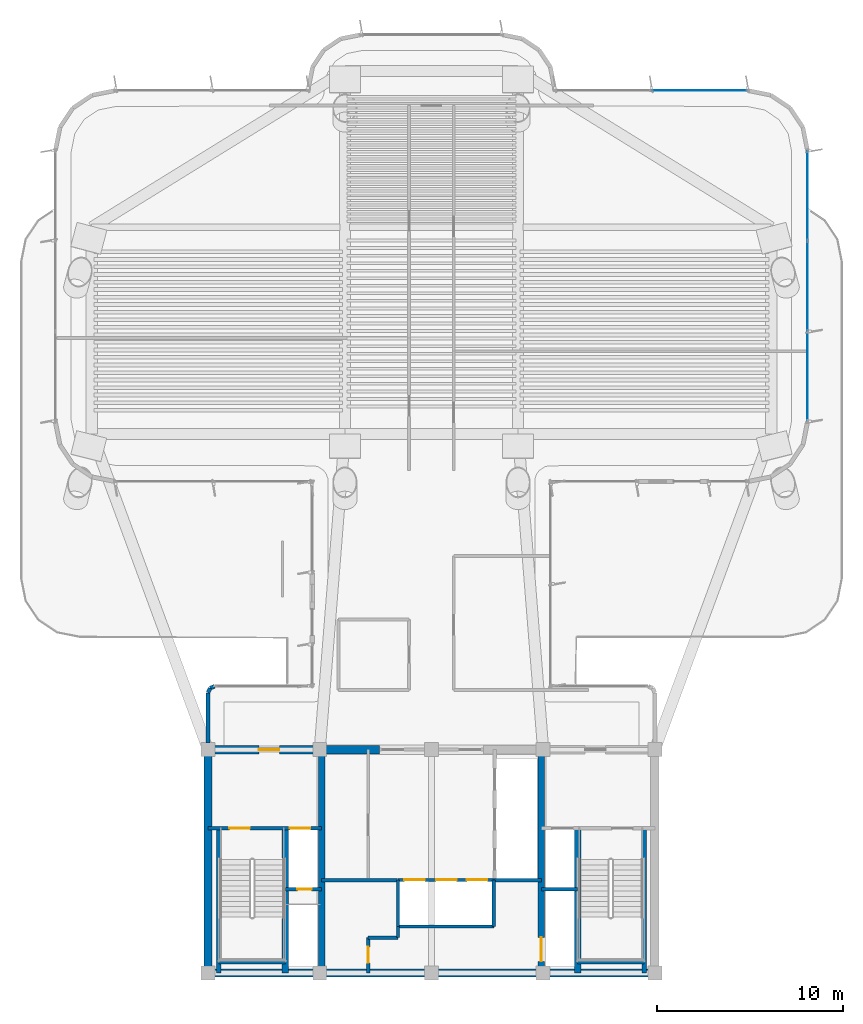
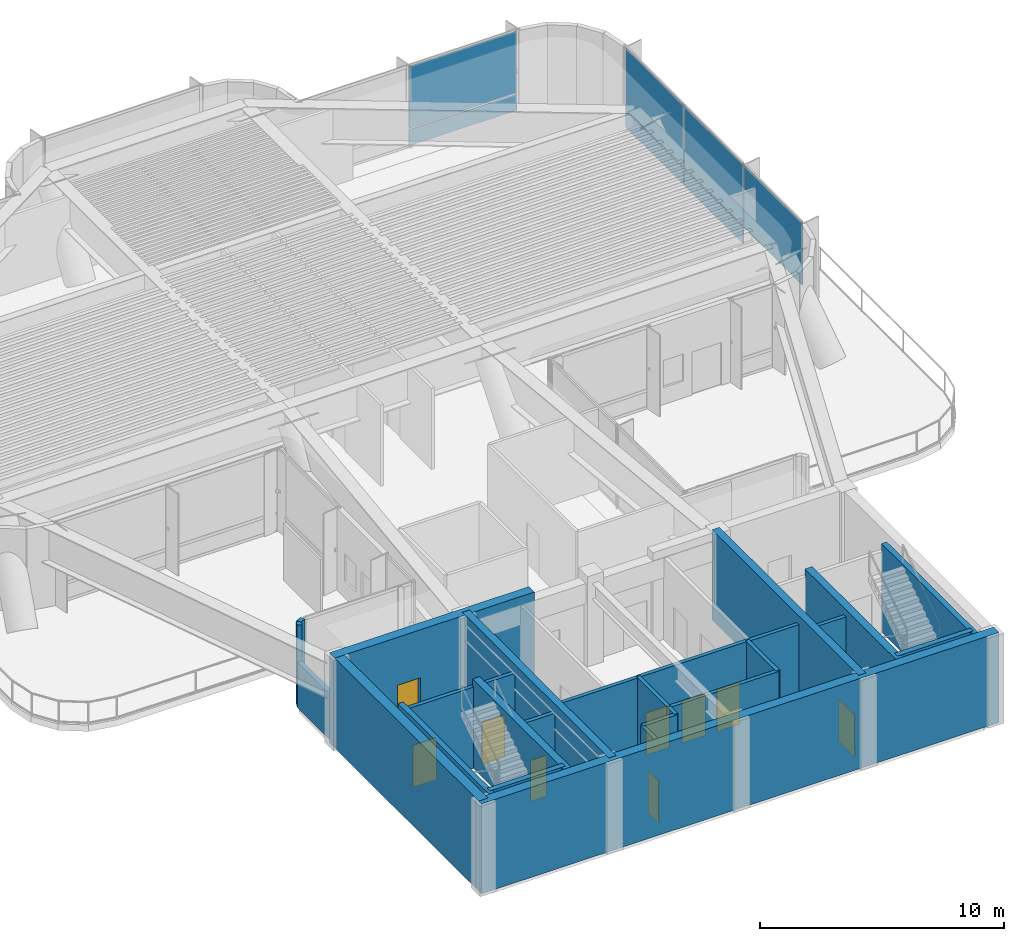
# One storey, part 8 of 13: 26 walls, 9 doors, 7 plates, 9 openings, 2 elements without a shape of their own.
"""IFC4 building model written with IfcOpenShell, lengths in metres."""

from ifc_helpers import new_model, si_unit, direction, frame, frame_2d, origin, origin_2d, place, context, subcontext, project, spatial, rectangle, extrude, source, transform, mapped, material, layer, layer_set, type_object, element, fill, aggregate, save


model = new_model("IFC4")

# Units and contexts
model_context = context("Model", 3, precision=1e-05, world=origin(), true_north=direction((0.0, 1.0)))
body_context = subcontext(model_context, "Body", "Model", "MODEL_VIEW")
ifc_project = project(units=[si_unit("LENGTHUNIT", "METRE"), si_unit("AREAUNIT", "SQUARE_METRE"), si_unit("VOLUMEUNIT", "CUBIC_METRE"), si_unit("PLANEANGLEUNIT", "RADIAN"), si_unit("MASSUNIT", "GRAM", prefix="KILO")], contexts=[model_context])

# Site, building, storey
site_placement = place(None, origin())
site = spatial("IfcSite", under=ifc_project, at=site_placement, CompositionType="ELEMENT")
building_placement = place(site_placement, origin())
building = spatial("IfcBuilding", under=site, at=building_placement, Name="Brelvock Crest Care Tower", CompositionType="ELEMENT")
storey_placement = place(building_placement, frame((0.0, 0.0, 151.919921875)))
storey = spatial("IfcBuildingStorey", under=building, at=storey_placement, Name="L38", CompositionType="ELEMENT", Elevation=151.919921875)

# Curtain wall, plates
ifc_material_1 = material(Name="Dark Glass Double Glazed Low-E", Category="glass")
ifc_layer_1 = layer(ifc_material_1, 0.2548828125, Name="CWS-6")
ifc_layer_set_1 = layer_set([ifc_layer_1], Name="Dark Glass Double Glazed Low-E")
curtain_wall_type = type_object("IfcCurtainWallType", Name="CWS-6", PredefinedType="NOTDEFINED", material=ifc_layer_set_1)
curtain_wall_1_placement = place(storey_placement, origin())
curtain_wall_1 = element("IfcCurtainWall", 1, at=curtain_wall_1_placement, inside=storey, type_object=curtain_wall_type, Name="L38 Curtain Wall E39", PredefinedType="NOTDEFINED")
ifc_material_2 = material(Name="Dark Glass Shadow-Box Spandrel", Category="glass")
ifc_layer_2 = layer(ifc_material_2, 0.048095703125, Name="CWP-SP1")
ifc_layer_set_2 = layer_set([ifc_layer_2], Name="Dark Glass Shadow-Box Spandrel")
plate_type_1 = type_object("IfcPlateType", Name="CWP-SP1", PredefinedType="SHEET", material=ifc_layer_set_2)
shared_shape_1 = source(origin(), body_context, "Body", "SweptSolid", [
    extrude(rectangle(XDim=4.769287109375, YDim=0.035888671875, at=origin_2d()), origin(), (0.0, 0.0, 1.0), 0.802490234375),
])
plate_1_placement = place(storey_placement, frame((56.199951171875, 47.75048828125, 0.06494140625), z_axis=(0.0, 0.0, 1.0), x_axis=(0.0, -1.0, 0.0)))
plate_1 = element("IfcPlate", 2, at=plate_1_placement, type_object=plate_type_1, Name="CW-6 panel 1.1", PredefinedType="SHEET", context=body_context, shape_type="MappedRepresentation", body=[
    mapped(shared_shape_1, transform((0.0, 0.0, 0.0), x_axis=(1.0, 0.0, 0.0), y_axis=(0.0, 1.0, 0.0), z_axis=(0.0, 0.0, 1.0), scale=1.0)),
])
ifc_layer_3 = layer(ifc_material_1, 0.0380859375, Name="CWP-V2")
ifc_layer_set_3 = layer_set([ifc_layer_3], Name="Dark Glass Double Glazed Low-E")
plate_type_2 = type_object("IfcPlateType", Name="CWP-V2", PredefinedType="CURTAIN_PANEL", material=ifc_layer_set_3)
shared_shape_2 = source(origin(), body_context, "Body", "SweptSolid", [
    extrude(rectangle(XDim=4.769287109375, YDim=0.035888671875, at=origin_2d()), origin(), (0.0, 0.0, 1.0), 3.094482421875),
])
plate_2_placement = place(storey_placement, frame((56.199951171875, 47.75048828125, 0.9326171875), z_axis=(0.0, 0.0, 1.0), x_axis=(0.0, -1.0, 0.0)))
plate_2 = element("IfcPlate", 3, at=plate_2_placement, type_object=plate_type_2, Name="CW-6 panel 1.2", PredefinedType="CURTAIN_PANEL", context=body_context, shape_type="MappedRepresentation", body=[
    mapped(shared_shape_2, transform((0.0, 0.0, 0.0), x_axis=(1.0, 0.0, 0.0), y_axis=(0.0, 1.0, 0.0), z_axis=(0.0, 0.0, 1.0), scale=1.0)),
])
plate_3_placement = place(storey_placement, frame((56.199951171875, 38.049560546875, 0.9326171875), z_axis=(0.0, 0.0, 1.0), x_axis=(0.0, -1.0, 0.0)))
plate_3 = element("IfcPlate", 4, at=plate_3_placement, type_object=plate_type_2, Name="CW-6 panel 3.2", PredefinedType="CURTAIN_PANEL", context=body_context, shape_type="MappedRepresentation", body=[
    mapped(shared_shape_2, transform((0.0, 0.0, 0.0), x_axis=(1.0, 0.0, 0.0), y_axis=(0.0, 1.0, 0.0), z_axis=(0.0, 0.0, 1.0), scale=1.0)),
])
shared_shape_3 = source(origin(), body_context, "Body", "SweptSolid", [
    extrude(rectangle(XDim=4.8017578125, YDim=0.035888671875, at=origin_2d()), origin(), (0.0, 0.0, 1.0), 0.802490234375),
])
plate_4_placement = place(storey_placement, frame((56.199951171875, 42.89990234375, 0.06494140625), z_axis=(0.0, 0.0, 1.0), x_axis=(0.0, -1.0, 0.0)))
plate_4 = element("IfcPlate", 5, at=plate_4_placement, type_object=plate_type_1, Name="CW-6 panel 2.1", PredefinedType="SHEET", context=body_context, shape_type="MappedRepresentation", body=[
    mapped(shared_shape_3, transform((0.0, 0.0, 0.0), x_axis=(1.0, 0.0, 0.0), y_axis=(0.0, 1.0, 0.0), z_axis=(0.0, 0.0, 1.0), scale=1.0)),
])
shared_shape_4 = source(origin(), body_context, "Body", "SweptSolid", [
    extrude(rectangle(XDim=4.8017578125, YDim=0.035888671875, at=origin_2d()), origin(), (0.0, 0.0, 1.0), 3.094482421875),
])
plate_5_placement = place(storey_placement, frame((56.199951171875, 42.89990234375, 0.9326171875), z_axis=(0.0, 0.0, 1.0), x_axis=(0.0, -1.0, 0.0)))
plate_5 = element("IfcPlate", 6, at=plate_5_placement, type_object=plate_type_2, Name="CW-6 panel 2.2", PredefinedType="CURTAIN_PANEL", context=body_context, shape_type="MappedRepresentation", body=[
    mapped(shared_shape_4, transform((0.0, 0.0, 0.0), x_axis=(1.0, 0.0, 0.0), y_axis=(0.0, 1.0, 0.0), z_axis=(0.0, 0.0, 1.0), scale=1.0)),
])
aggregate(curtain_wall_1, [plate_1, plate_2, plate_4, plate_5, plate_3])

curtain_wall_2_placement = place(storey_placement, origin())
curtain_wall_2 = element("IfcCurtainWall", 7, at=curtain_wall_2_placement, inside=storey, type_object=curtain_wall_type, Name="L38 Curtain Wall E34", PredefinedType="NOTDEFINED")
shared_shape_5 = source(origin(), body_context, "Body", "SweptSolid", [
    extrude(rectangle(XDim=5.1025390625, YDim=0.035888671875, at=origin_2d()), origin(), (0.0, 0.0, 1.0), 0.802490234375),
])
plate_6_placement = place(storey_placement, frame((50.3837890625, 53.39990234375, 0.06494140625), z_axis=(0.0, 0.0, 1.0), x_axis=(1.0, 0.0, 0.0)))
plate_6 = element("IfcPlate", 8, at=plate_6_placement, type_object=plate_type_1, Name="CW-6 panel 2.1", PredefinedType="SHEET", context=body_context, shape_type="MappedRepresentation", body=[
    mapped(shared_shape_5, transform((0.0, 0.0, 0.0), x_axis=(1.0, 0.0, 0.0), y_axis=(0.0, 1.0, 0.0), z_axis=(0.0, 0.0, 1.0), scale=1.0)),
])
shared_shape_6 = source(origin(), body_context, "Body", "SweptSolid", [
    extrude(rectangle(XDim=5.1025390625, YDim=0.035888671875, at=origin_2d()), origin(), (0.0, 0.0, 1.0), 3.094482421875),
])
plate_7_placement = place(storey_placement, frame((50.3837890625, 53.39990234375, 0.9326171875), z_axis=(0.0, 0.0, 1.0), x_axis=(1.0, 0.0, 0.0)))
plate_7 = element("IfcPlate", 9, at=plate_7_placement, type_object=plate_type_2, Name="CW-6 panel 2.2", PredefinedType="CURTAIN_PANEL", context=body_context, shape_type="MappedRepresentation", body=[
    mapped(shared_shape_6, transform((0.0, 0.0, 0.0), x_axis=(1.0, 0.0, 0.0), y_axis=(0.0, 1.0, 0.0), z_axis=(0.0, 0.0, 1.0), scale=1.0)),
])
aggregate(curtain_wall_2, [plate_6, plate_7])

# Walls
ifc_material_3 = material(Name="Concrete S65 (65 MPa)", Category="concrete")
ifc_layer_4 = layer(ifc_material_3, 0.449951171875, Name="WL-CS3")
ifc_layer_set_4 = layer_set([ifc_layer_4], Name="Concrete S65 (65 MPa)")
wall_type_1 = type_object("IfcWallType", Name="WL-CS3", PredefinedType="SHEAR", material=ifc_layer_set_4)
wall_1_placement = place(storey_placement, frame((48.22509765625, 6.0, 0.0), z_axis=(0.0, 0.0, 1.0), x_axis=(-1.0, 0.0, 0.0)))
element("IfcWall", 10, at=wall_1_placement, inside=storey, type_object=wall_type_1, Name="L38 Core South Shear Wall", PredefinedType="SHEAR", context=body_context, shape_type="SweptSolid", body=[
    extrude(rectangle(XDim=24.4501953125, YDim=0.449951171875, at=frame_2d((12.22509765625, 0.0))), origin(), (0.0, 0.0, 1.0), 4.5),
])
wall_2_placement = place(storey_placement, frame((24.0, 6.0, 0.0), z_axis=(0.0, 0.0, 1.0), x_axis=(0.0, 1.0, 0.0)))
element("IfcWall", 11, at=wall_2_placement, inside=storey, type_object=wall_type_1, Name="L38 Core West Shear Wall", PredefinedType="SHEAR", context=body_context, shape_type="SweptSolid", body=[
    extrude(rectangle(XDim=12.0, YDim=0.449951171875, at=frame_2d((6.0, 0.0))), origin(), (0.0, 0.0, 1.0), 4.5),
])

# Wall, opening, door
wall_3_placement = place(storey_placement, frame((23.77490234375, 18.0, 0.0), z_axis=(0.0, 0.0, 1.0), x_axis=(1.0, 0.0, 0.0)))
wall_3 = element("IfcWall", 12, at=wall_3_placement, inside=storey, type_object=wall_type_1, Name="L38 Core North-West Shear Wall", PredefinedType="SHEAR", context=body_context, shape_type="SweptSolid", body=[
    extrude(rectangle(XDim=9.425048828125, YDim=0.449951171875, at=frame_2d((4.71240234375, 0.0))), origin(), (0.0, 0.0, 1.0), 4.5),
])
opening_1_placement = place(wall_3_placement, frame((2.949951171875, 0.0, 0.0)))
opening_1 = element("IfcOpeningElement", 13, at=opening_1_placement, cuts=wall_3, Name="Opening FD-1", PredefinedType="OPENING", context=body_context, shape_type="SweptSolid", body=[
    extrude(rectangle(XDim=1.10009765625, YDim=2.10009765625, at=origin_2d()), frame((0.550048828125, 0.23486328125, 1.050048828125), z_axis=(0.0, -1.0, 0.0), x_axis=(1.0, 0.0, 0.0)), (0.0, 0.0, 1.0), 0.469970703125),
])
ifc_material_4 = material(Name="Steel Grade 350", Category="steel")
door_type_1 = type_object("IfcDoorType", Name="DR-FFL1", OperationType="NOTDEFINED", PredefinedType="DOOR", material=ifc_material_4)
shared_shape_7 = source(origin(), body_context, "Body", "SweptSolid", [
    extrude(rectangle(XDim=1.10009765625, YDim=2.10009765625, at=origin_2d()), frame((0.550048828125, 0.02490234375, 1.050048828125), z_axis=(0.0, -1.0, 0.0), x_axis=(1.0, 0.0, 0.0)), (0.0, 0.0, 1.0), 0.050048828125),
])
door_1_placement = place(opening_1_placement, origin())
door_1 = element("IfcDoor", 14, at=door_1_placement, inside=storey, type_object=door_type_1, Name="L38 Firefighting Lobby FFL-1 Exit Door", OperationType="SINGLE_SWING_LEFT", OverallHeight=2.10009765625, OverallWidth=1.10009765625, PredefinedType="DOOR", context=body_context, shape_type="MappedRepresentation", body=[
    mapped(shared_shape_7, transform((0.0, 0.0, 0.0), x_axis=(1.0, 0.0, 0.0), y_axis=(0.0, 1.0, 0.0), z_axis=(0.0, 0.0, 1.0), scale=1.0)),
])
fill(opening_1, door_1)

# Wall
ifc_material_5 = material(Name="Concrete S80 (80 MPa)", Category="concrete")
ifc_layer_5 = layer(ifc_material_5, 0.35009765625, Name="WL-CS5")
ifc_layer_set_5 = layer_set([ifc_layer_5], Name="Concrete S80 (80 MPa)")
wall_type_2 = type_object("IfcWallType", Name="WL-CS5", PredefinedType="SHEAR", material=ifc_layer_set_5)
wall_4_placement = place(storey_placement, frame((30.10009765625, 6.0, 0.0), z_axis=(0.0, 0.0, 1.0), x_axis=(0.0, 1.0, 0.0)))
element("IfcWall", 15, at=wall_4_placement, inside=storey, type_object=wall_type_2, Name="L38 Core Internal Web Wall West", PredefinedType="SHEAR", context=body_context, shape_type="SweptSolid", body=[
    extrude(rectangle(XDim=12.0, YDim=0.35009765625, at=frame_2d((6.0, 0.0))), origin(), (0.0, 0.0, 1.0), 4.5),
])

# Wall, opening, door
wall_5_placement = place(storey_placement, frame((41.89990234375, 18.0, 0.0), z_axis=(0.0, 0.0, 1.0), x_axis=(0.0, -1.0, 0.0)))
wall_5 = element("IfcWall", 16, at=wall_5_placement, inside=storey, type_object=wall_type_2, Name="L38 Core Internal Web Wall East", PredefinedType="SHEAR", context=body_context, shape_type="SweptSolid", body=[
    extrude(rectangle(XDim=12.0, YDim=0.35009765625, at=frame_2d((6.0, 0.0))), origin(), (0.0, 0.0, 1.0), 4.5),
])
opening_2_placement = place(wall_5_placement, frame((10.080078125, 0.0, 0.0)))
opening_2 = element("IfcOpeningElement", 17, at=opening_2_placement, cuts=wall_5, Name="Opening LD-S", PredefinedType="OPENING", context=body_context, shape_type="SweptSolid", body=[
    extrude(rectangle(XDim=1.300048828125, YDim=2.10009765625, at=origin_2d()), frame((0.64990234375, 0.18505859375, 1.050048828125), z_axis=(0.0, -1.0, 0.0), x_axis=(1.0, 0.0, 0.0)), (0.0, 0.0, 1.0), 0.3701171875),
])
door_type_2 = type_object("IfcDoorType", Name="DR-LDS1", OperationType="NOTDEFINED", PredefinedType="DOOR", material=ifc_material_4)
shared_shape_8 = source(origin(), body_context, "Body", "SweptSolid", [
    extrude(rectangle(XDim=1.300048828125, YDim=2.10009765625, at=origin_2d()), frame((0.64990234375, 0.02490234375, 1.050048828125), z_axis=(0.0, -1.0, 0.0), x_axis=(1.0, 0.0, 0.0)), (0.0, 0.0, 1.0), 0.050048828125),
])
door_2_placement = place(opening_2_placement, origin())
door_2 = element("IfcDoor", 18, at=door_2_placement, inside=storey, type_object=door_type_2, Name="L38 Clinical Bed Lift SL-1 Landing Door", OperationType="SLIDING_TO_LEFT", OverallHeight=2.10009765625, OverallWidth=1.300048828125, PredefinedType="DOOR", context=body_context, shape_type="MappedRepresentation", body=[
    mapped(shared_shape_8, transform((0.0, 0.0, 0.0), x_axis=(1.0, 0.0, 0.0), y_axis=(0.0, 1.0, 0.0), z_axis=(0.0, 0.0, 1.0), scale=1.0)),
])
fill(opening_2, door_2)

# Walls
for number, where, z_axis, x_axis, name in (
    (19, (28.14990234375, 6.0, 0.0), (0.0, 0.0, 1.0), (0.0, 1.0, 0.0), "L38 Core Stair ST-1 East Shear Wall"),
    (20, (43.85009765625, 6.0, 0.0), (0.0, 0.0, 1.0), (0.0, 1.0, 0.0), "L38 Core Stair ST-2 West Shear Wall"),
):
    element("IfcWall", number, at=place(storey_placement, frame(where, z_axis=z_axis, x_axis=x_axis)), inside=storey, type_object=wall_type_2, Name=name, PredefinedType="SHEAR", context=body_context, shape_type="SweptSolid", body=[
        extrude(rectangle(XDim=7.780029296875, YDim=0.35009765625, at=frame_2d((3.89013671875, 0.0))), origin(), (0.0, 0.0, 1.0), 4.412109375),
    ])
ifc_layer_6 = layer(ifc_material_5, 0.25, Name="WL-CS6")
ifc_layer_set_6 = layer_set([ifc_layer_6], Name="Concrete S80 (80 MPa)")
wall_type_3 = type_object("IfcWallType", Name="WL-CS6", PredefinedType="SHEAR", material=ifc_layer_set_6)
wall_6_placement = place(storey_placement, frame((24.580078125, 6.0, 0.0), z_axis=(0.0, 0.0, 1.0), x_axis=(0.0, 1.0, 0.0)))
element("IfcWall", 21, at=wall_6_placement, inside=storey, type_object=wall_type_3, Name="L38 Core Stair ST-1 West Shear Wall", PredefinedType="SHEAR", context=body_context, shape_type="SweptSolid", body=[
    extrude(rectangle(XDim=7.780029296875, YDim=0.25, at=frame_2d((3.89013671875, 0.0))), origin(), (0.0, 0.0, 1.0), 4.412109375),
])
wall_7_placement = place(storey_placement, frame((24.580078125, 6.6201171875, 0.0), z_axis=(0.0, 0.0, 1.0), x_axis=(1.0, 0.0, 0.0)))
element("IfcWall", 22, at=wall_7_placement, inside=storey, type_object=wall_type_3, Name="L38 Core Stair ST-1 South Shear Wall", PredefinedType="SHEAR", context=body_context, shape_type="SweptSolid", body=[
    extrude(rectangle(XDim=3.56982421875, YDim=0.25, at=frame_2d((1.784912109375, 0.0))), origin(), (0.0, 0.0, 1.0), 4.412109375),
])
wall_8_placement = place(storey_placement, frame((47.419921875, 6.0, 0.0), z_axis=(0.0, 0.0, 1.0), x_axis=(0.0, 1.0, 0.0)))
element("IfcWall", 23, at=wall_8_placement, inside=storey, type_object=wall_type_3, Name="L38 Core Stair ST-2 East Shear Wall", PredefinedType="SHEAR", context=body_context, shape_type="SweptSolid", body=[
    extrude(rectangle(XDim=7.780029296875, YDim=0.25, at=frame_2d((3.89013671875, 0.0))), origin(), (0.0, 0.0, 1.0), 4.412109375),
])
wall_9_placement = place(storey_placement, frame((43.85009765625, 6.6201171875, 0.0), z_axis=(0.0, 0.0, 1.0), x_axis=(1.0, 0.0, 0.0)))
element("IfcWall", 24, at=wall_9_placement, inside=storey, type_object=wall_type_3, Name="L38 Core Stair ST-2 South Shear Wall", PredefinedType="SHEAR", context=body_context, shape_type="SweptSolid", body=[
    extrude(rectangle(XDim=3.56982421875, YDim=0.25, at=frame_2d((1.784912109375, 0.0))), origin(), (0.0, 0.0, 1.0), 4.412109375),
])
ifc_material_6 = material(Name="Precast concrete N40 (40 MPa)", Category="concrete")
ifc_layer_7 = layer(ifc_material_6, 0.215087890625, Name="WL-EX2")
ifc_layer_set_7 = layer_set([ifc_layer_7], Name="Precast concrete N40 (40 MPa)")
wall_type_4 = type_object("IfcWallType", Name="WL-EX2", PredefinedType="SOLIDWALL", material=ifc_layer_set_7)
wall_10_placement = place(storey_placement, frame((24.0, 18.35498046875, 0.0), z_axis=(0.0, 0.0, 1.0), x_axis=(0.0, 1.0, 0.0)))
element("IfcWall", 25, at=wall_10_placement, inside=storey, type_object=wall_type_4, Name="L38 Rounded Corner Wall 07", PredefinedType="SOLIDWALL", context=body_context, shape_type="SweptSolid", body=[
    extrude(rectangle(XDim=2.695068359375, YDim=0.215087890625, at=frame_2d((1.34765625, 0.0))), origin(), (0.0, 0.0, 1.0), 2.280029296875),
])
wall_11_placement = place(storey_placement, frame((24.0, 21.050048828125, 0.0), z_axis=(0.0, 0.0, 1.0), x_axis=(0.382673670509, 0.923883575944, 0.0)))
element("IfcWall", 26, at=wall_11_placement, inside=storey, type_object=wall_type_4, Name="L38 Rounded Corner Wall 08", PredefinedType="SOLIDWALL", context=body_context, shape_type="SweptSolid", body=[
    extrude(rectangle(XDim=0.26806640625, YDim=0.215087890625, at=frame_2d((0.134033203125, 0.0))), origin(), (0.0, 0.0, 1.0), 4.092041015625),
])
wall_12_placement = place(storey_placement, frame((24.1025390625, 21.297607421875, 0.0), z_axis=(0.0, 0.0, 1.0), x_axis=(0.924205486139, 0.381895560841, 0.0)))
element("IfcWall", 27, at=wall_12_placement, inside=storey, type_object=wall_type_4, Name="L38 Rounded Corner Wall 09", PredefinedType="SOLIDWALL", context=body_context, shape_type="SweptSolid", body=[
    extrude(rectangle(XDim=0.267822265625, YDim=0.215087890625, at=frame_2d((0.1337890625, 0.0))), origin(), (0.0, 0.0, 1.0), 4.092041015625),
])
ifc_material_7 = material(Name="Masonry Blockwork Acoustic Partition", Category="masonry")
ifc_layer_8 = layer(ifc_material_7, 0.179931640625, Name="WL-SHF1")
ifc_layer_set_8 = layer_set([ifc_layer_8], Name="Masonry Blockwork Acoustic Partition")
wall_type_5 = type_object("IfcWallType", Name="WL-SHF1", PredefinedType="PARTITIONING", material=ifc_layer_set_8)
wall_13_placement = place(storey_placement, frame((34.199951171875, 8.5, 0.0), z_axis=(0.0, 0.0, 1.0), x_axis=(1.0, 0.0, 0.0)))
element("IfcWall", 28, at=wall_13_placement, inside=storey, type_object=wall_type_5, Name="L38 Interior Wall WL-PLM-S-L38", PredefinedType="PARTITIONING", context=body_context, shape_type="SweptSolid", body=[
    extrude(rectangle(XDim=5.150146484375, YDim=0.179931640625, at=frame_2d((2.5751953125, 0.0))), origin(), (0.0, 0.0, 1.0), 4.06201171875),
])
for number, where, z_axis, x_axis, name in (
    (29, (34.199951171875, 8.5, 0.0), (0.0, 0.0, 1.0), (0.0, 1.0, 0.0), "L38 Interior Wall WL-PLM-W-L38"),
    (30, (39.35009765625, 8.5, 0.0), (0.0, 0.0, 1.0), (0.0, 1.0, 0.0), "L38 Interior Wall WL-PLM-E-L38"),
):
    element("IfcWall", number, at=place(storey_placement, frame(where, z_axis=z_axis, x_axis=x_axis)), inside=storey, type_object=wall_type_5, Name=name, PredefinedType="PARTITIONING", context=body_context, shape_type="SweptSolid", body=[
        extrude(rectangle(XDim=2.5, YDim=0.179931640625, at=frame_2d((1.25, 0.0))), origin(), (0.0, 0.0, 1.0), 4.06201171875),
    ])
wall_14_placement = place(storey_placement, frame((30.10009765625, 10.97998046875, 0.0), z_axis=(0.0, 0.0, 1.0), x_axis=(1.0, 0.0, 0.0)))
element("IfcWall", 31, at=wall_14_placement, inside=storey, type_object=wall_type_5, Name="L38 Interior Wall WL-CSBW-N-L38", PredefinedType="PARTITIONING", context=body_context, shape_type="SweptSolid", body=[
    extrude(rectangle(XDim=4.079833984375, YDim=0.179931640625, at=frame_2d((2.0400390625, 0.0))), origin(), (0.0, 0.0, 1.0), 4.06201171875),
])
wall_15_placement = place(storey_placement, frame((34.199951171875, 7.89990234375, 0.0), z_axis=(0.0, 0.0, 1.0), x_axis=(0.0, 1.0, 0.0)))
element("IfcWall", 32, at=wall_15_placement, inside=storey, type_object=wall_type_5, Name="L38 Interior Wall WL-CSBW-E2-L38", PredefinedType="PARTITIONING", context=body_context, shape_type="SweptSolid", body=[
    extrude(rectangle(XDim=0.60009765625, YDim=0.179931640625, at=frame_2d((0.300048828125, 0.0))), origin(), (0.0, 0.0, 1.0), 4.06201171875),
])
wall_16_placement = place(storey_placement, frame((32.60009765625, 7.89990234375, 0.0), z_axis=(0.0, 0.0, 1.0), x_axis=(1.0, 0.0, 0.0)))
element("IfcWall", 33, at=wall_16_placement, inside=storey, type_object=wall_type_5, Name="L38 Interior Wall WL-CSBW-S2-L38", PredefinedType="PARTITIONING", context=body_context, shape_type="SweptSolid", body=[
    extrude(rectangle(XDim=1.599853515625, YDim=0.179931640625, at=frame_2d((0.7998046875, 0.0))), origin(), (0.0, 0.0, 1.0), 4.06201171875),
])

# Wall, opening, door
wall_17_placement = place(storey_placement, frame((32.60009765625, 6.0, 0.0), z_axis=(0.0, 0.0, 1.0), x_axis=(0.0, 1.0, 0.0)))
wall_17 = element("IfcWall", 34, at=wall_17_placement, inside=storey, type_object=wall_type_5, Name="L38 Interior Wall WL-CSBW-E1-L38", PredefinedType="PARTITIONING", context=body_context, shape_type="SweptSolid", body=[
    extrude(rectangle(XDim=1.89990234375, YDim=0.179931640625, at=frame_2d((0.949951171875, 0.0))), origin(), (0.0, 0.0, 1.0), 4.06201171875),
])
opening_3_placement = place(wall_17_placement, frame((0.550048828125, 0.0, 0.0)))
opening_3 = element("IfcOpeningElement", 35, at=opening_3_placement, cuts=wall_17, Name="Opening ID-1", PredefinedType="OPENING", context=body_context, shape_type="SweptSolid", body=[
    extrude(rectangle(XDim=0.860107421875, YDim=2.10009765625, at=origin_2d()), frame((0.43017578125, 0.10009765625, 1.050048828125), z_axis=(0.0, -1.0, 0.0), x_axis=(1.0, 0.0, 0.0)), (0.0, 0.0, 1.0), 0.199951171875),
])
ifc_material_8 = material(Name="Engineered Hardwood Timber", Category="wood")
door_type_3 = type_object("IfcDoorType", Name="DR-INT1", OperationType="NOTDEFINED", PredefinedType="DOOR", material=ifc_material_8)
shared_shape_9 = source(origin(), body_context, "Body", "SweptSolid", [
    extrude(rectangle(XDim=0.860107421875, YDim=2.10009765625, at=origin_2d()), frame((0.43017578125, 0.02490234375, 1.050048828125), z_axis=(0.0, -1.0, 0.0), x_axis=(1.0, 0.0, 0.0)), (0.0, 0.0, 1.0), 0.050048828125),
])
door_3_placement = place(opening_3_placement, origin())
door_3 = element("IfcDoor", 36, at=door_3_placement, inside=storey, type_object=door_type_3, Name="DR-CSBW-L38", OperationType="SINGLE_SWING_LEFT", OverallHeight=2.10009765625, OverallWidth=0.860107421875, PredefinedType="DOOR", context=body_context, shape_type="MappedRepresentation", body=[
    mapped(shared_shape_9, transform((0.0, 0.0, 0.0), x_axis=(1.0, 0.0, 0.0), y_axis=(0.0, 1.0, 0.0), z_axis=(0.0, 0.0, 1.0), scale=1.0)),
])
fill(opening_3, door_3)

# Wall
wall_18_placement = place(storey_placement, frame((39.35009765625, 10.97998046875, 0.0), z_axis=(0.0, 0.0, 1.0), x_axis=(1.0, 0.0, 0.0)))
element("IfcWall", 37, at=wall_18_placement, inside=storey, type_object=wall_type_5, Name="L38 Interior Wall WL-CSBE-N-L38", PredefinedType="PARTITIONING", context=body_context, shape_type="SweptSolid", body=[
    extrude(rectangle(XDim=2.5498046875, YDim=0.179931640625, at=frame_2d((1.27490234375, 0.0))), origin(), (0.0, 0.0, 1.0), 4.06201171875),
])

# Wall, openings, doors
wall_19_placement = place(storey_placement, frame((24.0, 13.780029296875, 0.0), z_axis=(0.0, 0.0, 1.0), x_axis=(1.0, 0.0, 0.0)))
wall_19 = element("IfcWall", 38, at=wall_19_placement, inside=storey, type_object=wall_type_5, Name="L38 Interior Wall WL-ST1-N-L38", PredefinedType="PARTITIONING", context=body_context, shape_type="SweptSolid", body=[
    extrude(rectangle(XDim=6.10009765625, YDim=0.179931640625, at=frame_2d((3.050048828125, 0.0))), origin(), (0.0, 0.0, 1.0), 4.06201171875),
])
opening_4_placement = place(wall_19_placement, frame((1.14990234375, 0.0, 0.0)))
opening_4 = element("IfcOpeningElement", 39, at=opening_4_placement, cuts=wall_19, Name="Opening SD-1", PredefinedType="OPENING", context=body_context, shape_type="SweptSolid", body=[
    extrude(rectangle(XDim=1.10009765625, YDim=2.10009765625, at=origin_2d()), frame((0.550048828125, 0.10009765625, 1.050048828125), z_axis=(0.0, -1.0, 0.0), x_axis=(1.0, 0.0, 0.0)), (0.0, 0.0, 1.0), 0.199951171875),
])
opening_5_placement = place(wall_19_placement, frame((4.39990234375, 0.0, 0.0)))
opening_5 = element("IfcOpeningElement", 40, at=opening_5_placement, cuts=wall_19, Name="Opening LD", PredefinedType="OPENING", context=body_context, shape_type="SweptSolid", body=[
    extrude(rectangle(XDim=1.10009765625, YDim=2.10009765625, at=origin_2d()), frame((0.550048828125, 0.10009765625, 1.050048828125), z_axis=(0.0, -1.0, 0.0), x_axis=(1.0, 0.0, 0.0)), (0.0, 0.0, 1.0), 0.199951171875),
])
door_type_4 = type_object("IfcDoorType", Name="DR-ST1", OperationType="NOTDEFINED", PredefinedType="DOOR", material=ifc_material_4)
shared_shape_10 = source(origin(), body_context, "Body", "SweptSolid", [
    extrude(rectangle(XDim=1.10009765625, YDim=2.10009765625, at=origin_2d()), frame((0.550048828125, 0.02490234375, 1.050048828125), z_axis=(0.0, -1.0, 0.0), x_axis=(1.0, 0.0, 0.0)), (0.0, 0.0, 1.0), 0.050048828125),
])
door_4_placement = place(opening_4_placement, origin())
door_4 = element("IfcDoor", 41, at=door_4_placement, inside=storey, type_object=door_type_4, Name="L38 Fire Stair ST-1 Door", OperationType="SINGLE_SWING_LEFT", OverallHeight=2.10009765625, OverallWidth=1.10009765625, PredefinedType="DOOR", context=body_context, shape_type="MappedRepresentation", body=[
    mapped(shared_shape_10, transform((0.0, 0.0, 0.0), x_axis=(1.0, 0.0, 0.0), y_axis=(0.0, 1.0, 0.0), z_axis=(0.0, 0.0, 1.0), scale=1.0)),
])
fill(opening_4, door_4)
door_type_5 = type_object("IfcDoorType", Name="DR-LD1", OperationType="NOTDEFINED", PredefinedType="DOOR", material=ifc_material_4)
shared_shape_11 = source(origin(), body_context, "Body", "SweptSolid", [
    extrude(rectangle(XDim=1.10009765625, YDim=2.10009765625, at=origin_2d()), frame((0.550048828125, 0.02490234375, 1.050048828125), z_axis=(0.0, -1.0, 0.0), x_axis=(1.0, 0.0, 0.0)), (0.0, 0.0, 1.0), 0.050048828125),
])
door_5_placement = place(opening_5_placement, origin())
door_5 = element("IfcDoor", 42, at=door_5_placement, inside=storey, type_object=door_type_5, Name="L38 Firefighting Lift FFL-1 Landing Door", OperationType="SLIDING_TO_LEFT", OverallHeight=2.10009765625, OverallWidth=1.10009765625, PredefinedType="DOOR", context=body_context, shape_type="MappedRepresentation", body=[
    mapped(shared_shape_11, transform((0.0, 0.0, 0.0), x_axis=(1.0, 0.0, 0.0), y_axis=(0.0, 1.0, 0.0), z_axis=(0.0, 0.0, 1.0), scale=1.0)),
])
fill(opening_5, door_5)

# Wall, opening, door
wall_20_placement = place(storey_placement, frame((28.14990234375, 10.5, 0.0), z_axis=(0.0, 0.0, 1.0), x_axis=(1.0, 0.0, 0.0)))
wall_20 = element("IfcWall", 43, at=wall_20_placement, inside=storey, type_object=wall_type_5, Name="L38 Interior Wall WL-FFH1-S-L38", PredefinedType="PARTITIONING", context=body_context, shape_type="SweptSolid", body=[
    extrude(rectangle(XDim=1.9501953125, YDim=0.179931640625, at=frame_2d((0.97509765625, 0.0))), origin(), (0.0, 0.0, 1.0), 4.06201171875),
])
opening_6_placement = place(wall_20_placement, frame((0.64990234375, 0.0, 0.0)))
opening_6 = element("IfcOpeningElement", 44, at=opening_6_placement, cuts=wall_20, Name="Opening RD-1", PredefinedType="OPENING", context=body_context, shape_type="SweptSolid", body=[
    extrude(rectangle(XDim=0.760009765625, YDim=2.050048828125, at=origin_2d()), frame((0.3798828125, 0.10009765625, 1.02490234375), z_axis=(0.0, -1.0, 0.0), x_axis=(1.0, 0.0, 0.0)), (0.0, 0.0, 1.0), 0.199951171875),
])
door_type_6 = type_object("IfcDoorType", Name="DR-RIS1", OperationType="NOTDEFINED", PredefinedType="DOOR", material=ifc_material_4)
shared_shape_12 = source(origin(), body_context, "Body", "SweptSolid", [
    extrude(rectangle(XDim=0.760009765625, YDim=2.050048828125, at=origin_2d()), frame((0.3798828125, 0.02490234375, 1.02490234375), z_axis=(0.0, -1.0, 0.0), x_axis=(1.0, 0.0, 0.0)), (0.0, 0.0, 1.0), 0.050048828125),
])
door_6_placement = place(opening_6_placement, origin())
door_6 = element("IfcDoor", 45, at=door_6_placement, inside=storey, type_object=door_type_6, Name="L38 Wet Fire Riser Access Door", OperationType="SINGLE_SWING_LEFT", OverallHeight=2.050048828125, OverallWidth=0.760009765625, PredefinedType="DOOR", context=body_context, shape_type="MappedRepresentation", body=[
    mapped(shared_shape_12, transform((0.0, 0.0, 0.0), x_axis=(1.0, 0.0, 0.0), y_axis=(0.0, 1.0, 0.0), z_axis=(0.0, 0.0, 1.0), scale=1.0)),
])
fill(opening_6, door_6)

# Wall
wall_21_placement = place(storey_placement, frame((41.89990234375, 10.5, 0.0), z_axis=(0.0, 0.0, 1.0), x_axis=(1.0, 0.0, 0.0)))
element("IfcWall", 46, at=wall_21_placement, inside=storey, type_object=wall_type_5, Name="L38 Interior Wall WL-FFH2-S-L38", PredefinedType="PARTITIONING", context=body_context, shape_type="SweptSolid", body=[
    extrude(rectangle(XDim=1.9501953125, YDim=0.179931640625, at=frame_2d((0.97509765625, 0.0))), origin(), (0.0, 0.0, 1.0), 4.06201171875),
])

# Wall, openings, doors
wall_22_placement = place(storey_placement, frame((34.199951171875, 11.0, 0.0), z_axis=(0.0, 0.0, 1.0), x_axis=(1.0, 0.0, 0.0)))
wall_22 = element("IfcWall", 47, at=wall_22_placement, inside=storey, type_object=wall_type_5, Name="L38 Interior Wall WL-PLM-BANK-L38", PredefinedType="PARTITIONING", context=body_context, shape_type="SweptSolid", body=[
    extrude(rectangle(XDim=5.150146484375, YDim=0.179931640625, at=frame_2d((2.5751953125, 0.0))), origin(), (0.0, 0.0, 1.0), 4.06201171875),
])
opening_7_placement = place(wall_22_placement, frame((0.35009765625, 0.0, 0.0)))
opening_7 = element("IfcOpeningElement", 48, at=opening_7_placement, cuts=wall_22, Name="Opening LD", PredefinedType="OPENING", context=body_context, shape_type="SweptSolid", body=[
    extrude(rectangle(XDim=1.10009765625, YDim=2.10009765625, at=origin_2d()), frame((0.550048828125, 0.10009765625, 1.050048828125), z_axis=(0.0, -1.0, 0.0), x_axis=(1.0, 0.0, 0.0)), (0.0, 0.0, 1.0), 0.199951171875),
])
opening_8_placement = place(wall_22_placement, frame((2.050048828125, 0.0, 0.0)))
opening_8 = element("IfcOpeningElement", 49, at=opening_8_placement, cuts=wall_22, Name="Opening LD", PredefinedType="OPENING", context=body_context, shape_type="SweptSolid", body=[
    extrude(rectangle(XDim=1.10009765625, YDim=2.10009765625, at=origin_2d()), frame((0.550048828125, 0.10009765625, 1.050048828125), z_axis=(0.0, -1.0, 0.0), x_axis=(1.0, 0.0, 0.0)), (0.0, 0.0, 1.0), 0.199951171875),
])
opening_9_placement = place(wall_22_placement, frame((3.699951171875, 0.0, 0.0)))
opening_9 = element("IfcOpeningElement", 50, at=opening_9_placement, cuts=wall_22, Name="Opening LD", PredefinedType="OPENING", context=body_context, shape_type="SweptSolid", body=[
    extrude(rectangle(XDim=1.10009765625, YDim=2.10009765625, at=origin_2d()), frame((0.550048828125, 0.10009765625, 1.050048828125), z_axis=(0.0, -1.0, 0.0), x_axis=(1.0, 0.0, 0.0)), (0.0, 0.0, 1.0), 0.199951171875),
])
door_7_placement = place(opening_7_placement, origin())
door_7 = element("IfcDoor", 51, at=door_7_placement, inside=storey, type_object=door_type_5, Name="L38 Lift PL-M1 Landing Door", OperationType="SLIDING_TO_LEFT", OverallHeight=2.10009765625, OverallWidth=1.10009765625, PredefinedType="DOOR", context=body_context, shape_type="MappedRepresentation", body=[
    mapped(shared_shape_11, transform((0.0, 0.0, 0.0), x_axis=(1.0, 0.0, 0.0), y_axis=(0.0, 1.0, 0.0), z_axis=(0.0, 0.0, 1.0), scale=1.0)),
])
fill(opening_7, door_7)
door_8_placement = place(opening_8_placement, origin())
door_8 = element("IfcDoor", 52, at=door_8_placement, inside=storey, type_object=door_type_5, Name="L38 Lift PL-M2 Landing Door", OperationType="SLIDING_TO_LEFT", OverallHeight=2.10009765625, OverallWidth=1.10009765625, PredefinedType="DOOR", context=body_context, shape_type="MappedRepresentation", body=[
    mapped(shared_shape_11, transform((0.0, 0.0, 0.0), x_axis=(1.0, 0.0, 0.0), y_axis=(0.0, 1.0, 0.0), z_axis=(0.0, 0.0, 1.0), scale=1.0)),
])
fill(opening_8, door_8)
door_9_placement = place(opening_9_placement, origin())
door_9 = element("IfcDoor", 53, at=door_9_placement, inside=storey, type_object=door_type_5, Name="L38 Lift PL-M3 Landing Door", OperationType="SLIDING_TO_LEFT", OverallHeight=2.10009765625, OverallWidth=1.10009765625, PredefinedType="DOOR", context=body_context, shape_type="MappedRepresentation", body=[
    mapped(shared_shape_11, transform((0.0, 0.0, 0.0), x_axis=(1.0, 0.0, 0.0), y_axis=(0.0, 1.0, 0.0), z_axis=(0.0, 0.0, 1.0), scale=1.0)),
])
fill(opening_9, door_9)

save(model, "model.ifc")
